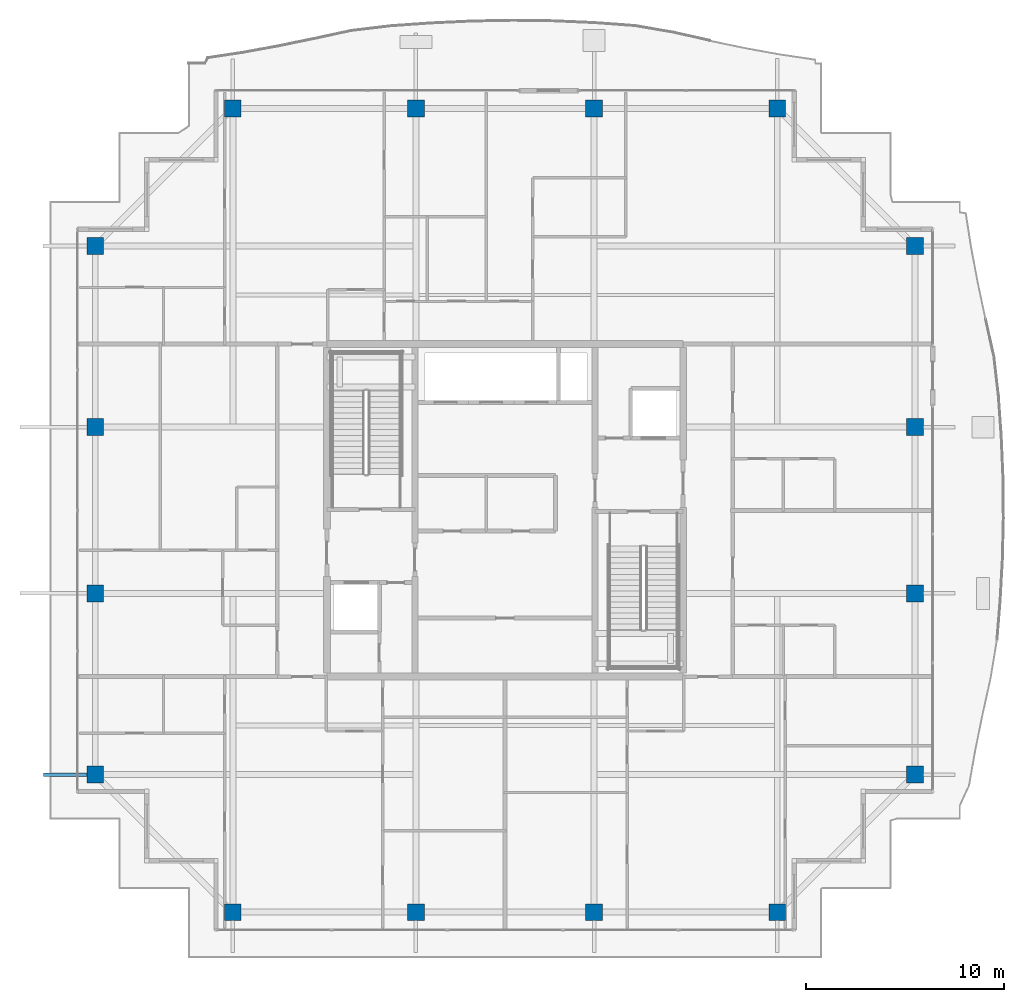
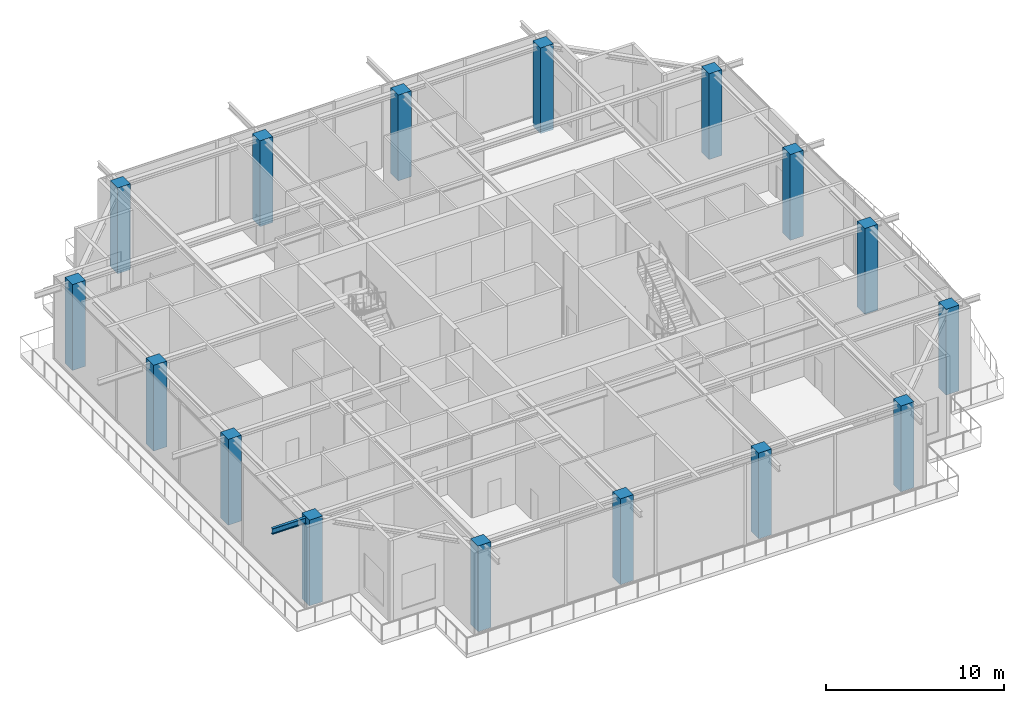
# One storey, part 1 of 40: 16 columns, 1 beam.
"""IFC4 building model written with IfcOpenShell, lengths in metres."""

from ifc_helpers import new_model, si_unit, direction, frame, origin, origin_2d, place, context, subcontext, project, spatial, rectangle, i_section, extrude, source, transform, mapped, material, material_profile, profile_set, type_object, element, save


model = new_model("IFC4")

# Units and contexts
model_context = context("Model", 3, precision=1e-05, world=origin(), true_north=direction((0.0, 1.0)))
body_context = subcontext(model_context, "Body", "Model", "MODEL_VIEW")
ifc_project = project(units=[si_unit("LENGTHUNIT", "METRE"), si_unit("AREAUNIT", "SQUARE_METRE"), si_unit("VOLUMEUNIT", "CUBIC_METRE"), si_unit("PLANEANGLEUNIT", "RADIAN"), si_unit("MASSUNIT", "GRAM", prefix="KILO")], contexts=[model_context])

# Site, building, storey
site_placement = place(None, origin())
site = spatial("IfcSite", under=ifc_project, at=site_placement, CompositionType="ELEMENT")
building_placement = place(site_placement, origin())
building = spatial("IfcBuilding", under=site, at=building_placement, Name="Serunith Strait Residences", CompositionType="ELEMENT")
storey_placement = place(building_placement, frame((0.0, 0.0, 347.949951171875)))
storey = spatial("IfcBuildingStorey", under=building, at=storey_placement, Name="L86", CompositionType="ELEMENT", Elevation=347.949951171875)

# Columns
ifc_material_1 = material(Name="Concrete C60/75", Category="concrete")
ifc_material_profile_1 = material_profile(ifc_material_1, rectangle(XDim=0.85009765625, YDim=0.85009765625, at=origin_2d()), Name="RC 850x850")
ifc_profile_set_1 = profile_set([ifc_material_profile_1], Name="Concrete C60/75")
column_type = type_object("IfcColumnType", Name="COL-RC-850", PredefinedType="COLUMN", material=ifc_profile_set_1)
shared_shape_1 = source(origin(), body_context, "Body", "SweptSolid", [
    extrude(rectangle(XDim=0.85009765625, YDim=0.85009765625, at=origin_2d()), origin(), (0.0, 0.0, 1.0), 5.900146484375),
])
for number, where, z_axis, x_axis, name in (
    (1, (18.64990234375, 4.89990234375, -0.260009765625), (0.0, 0.0, 1.0), (1.0, 0.0, 0.0), "L86 Tower Mega-Column TC-S1"),
    (2, (27.89990234375, 4.89990234375, -0.260009765625), (0.0, 0.0, 1.0), (1.0, 0.0, 0.0), "L86 Tower Mega-Column TC-S2"),
    (3, (36.89990234375, 4.89990234375, -0.260009765625), (0.0, 0.0, 1.0), (1.0, 0.0, 0.0), "L86 Tower Mega-Column TC-S3"),
    (4, (46.14990234375, 4.89990234375, -0.260009765625), (0.0, 0.0, 1.0), (1.0, 0.0, 0.0), "L86 Tower Mega-Column TC-S4"),
    (5, (18.64990234375, 45.5, -0.260009765625), (0.0, 0.0, 1.0), (1.0, 0.0, 0.0), "L86 Tower Mega-Column TC-N1"),
    (6, (27.89990234375, 45.5, -0.260009765625), (0.0, 0.0, 1.0), (1.0, 0.0, 0.0), "L86 Tower Mega-Column TC-N2"),
    (7, (36.89990234375, 45.5, -0.260009765625), (0.0, 0.0, 1.0), (1.0, 0.0, 0.0), "L86 Tower Mega-Column TC-N3"),
    (8, (46.14990234375, 45.5, -0.260009765625), (0.0, 0.0, 1.0), (1.0, 0.0, 0.0), "L86 Tower Mega-Column TC-N4"),
    (9, (53.10009765625, 11.85009765625, -0.260009765625), (0.0, 0.0, 1.0), (1.0, 0.0, 0.0), "L86 Tower Mega-Column TC-E1"),
    (10, (53.10009765625, 21.0, -0.260009765625), (0.0, 0.0, 1.0), (1.0, 0.0, 0.0), "L86 Tower Mega-Column TC-E2"),
    (11, (53.10009765625, 29.39990234375, -0.260009765625), (0.0, 0.0, 1.0), (1.0, 0.0, 0.0), "L86 Tower Mega-Column TC-E3"),
    (12, (53.10009765625, 38.550048828125, -0.260009765625), (0.0, 0.0, 1.0), (1.0, 0.0, 0.0), "L86 Tower Mega-Column TC-E4"),
    (13, (11.699951171875, 11.85009765625, -0.260009765625), (0.0, 0.0, 1.0), (1.0, 0.0, 0.0), "L86 Tower Mega-Column TC-W1"),
    (14, (11.699951171875, 21.0, -0.260009765625), (0.0, 0.0, 1.0), (1.0, 0.0, 0.0), "L86 Tower Mega-Column TC-W2"),
    (15, (11.699951171875, 29.39990234375, -0.260009765625), (0.0, 0.0, 1.0), (1.0, 0.0, 0.0), "L86 Tower Mega-Column TC-W3"),
    (16, (11.699951171875, 38.550048828125, -0.260009765625), (0.0, 0.0, 1.0), (1.0, 0.0, 0.0), "L86 Tower Mega-Column TC-W4"),
):
    element("IfcColumn", number, at=place(storey_placement, frame(where, z_axis=z_axis, x_axis=x_axis)), inside=storey, type_object=column_type, Name=name, PredefinedType="COLUMN", context=body_context, shape_type="MappedRepresentation", body=[
        mapped(shared_shape_1, transform((0.0, 0.0, 0.0), scale=1.0)),
    ])

# Beam
ifc_material_2 = material(Name="Steel S355J2", Category="steel")
ifc_material_profile_2 = material_profile(ifc_material_2, i_section(OverallWidth=0.179931640625, OverallDepth=0.39990234375, WebThickness=0.008544921875, FlangeThickness=0.013427734375, FilletRadius=0.02099609375, at=origin_2d()), Name="IPE 400")
ifc_profile_set_2 = profile_set([ifc_material_profile_2], Name="Steel S355J2")
beam_type = type_object("IfcBeamType", Name="BM-IPE400", PredefinedType="JOIST", material=ifc_profile_set_2)
shared_shape_2 = source(origin(), body_context, "Body", "SweptSolid", [
    extrude(i_section(OverallWidth=0.179931640625, OverallDepth=0.39990234375, WebThickness=0.008544921875, FlangeThickness=0.013427734375, FilletRadius=0.02099609375, at=origin_2d()), origin(), (0.0, 0.0, 1.0), 2.62548828125),
])
beam_placement = place(storey_placement, frame((11.699951171875, 11.85009765625, 5.406982421875), z_axis=(-1.0, 0.0, 0.0), x_axis=(0.0, -1.0, 0.0)))
element("IfcBeam", 17, at=beam_placement, inside=storey, type_object=beam_type, Name="L87 Cantilevered Balcony Rib TC-W1", PredefinedType="JOIST", context=body_context, shape_type="MappedRepresentation", body=[
    mapped(shared_shape_2, transform((0.0, 0.0, 0.0), scale=1.0)),
])

save(model, "model.ifc")
